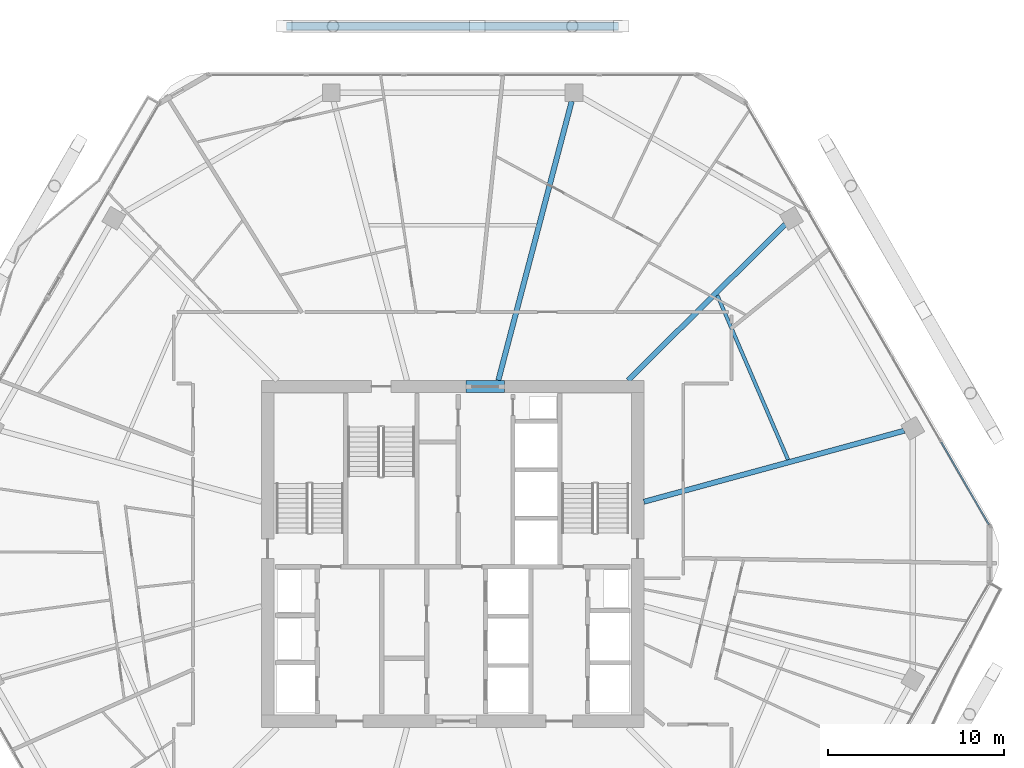
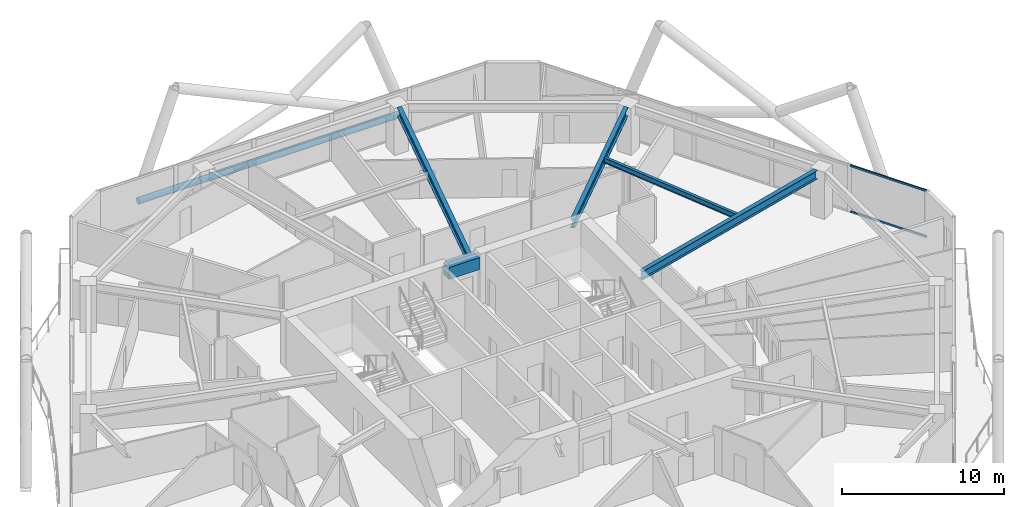
# One storey, part 16 of 30: 5 beams, 3 members, 1 element without a shape of its own.
"""IFC4 building model written with IfcOpenShell, lengths in metres."""

from ifc_helpers import new_model, si_unit, direction, frame, origin, origin_2d, place, context, subcontext, project, spatial, rectangle, hollow_rectangle, hollow_circle, i_section, extrude, material, material_profile, profile_set, type_object, element, aggregate, save


model = new_model("IFC4")

# Units and contexts
model_context = context("Model", 3, precision=1e-05, world=origin(), true_north=direction((0.0, 1.0)))
body_context = subcontext(model_context, "Body", "Model", "MODEL_VIEW")
ifc_project = project(units=[si_unit("LENGTHUNIT", "METRE"), si_unit("AREAUNIT", "SQUARE_METRE"), si_unit("VOLUMEUNIT", "CUBIC_METRE"), si_unit("PLANEANGLEUNIT", "RADIAN"), si_unit("MASSUNIT", "GRAM", prefix="KILO")], contexts=[model_context])

# Site, building, storey
site_placement = place(None, origin())
site = spatial("IfcSite", under=ifc_project, at=site_placement, CompositionType="ELEMENT")
building_placement = place(site_placement, origin())
building = spatial("IfcBuilding", under=site, at=building_placement, Name="Zuhravey Tower", CompositionType="ELEMENT")
storey_placement = place(building_placement, frame((0.0, 0.0, 177.0)))
storey = spatial("IfcBuildingStorey", under=building, at=storey_placement, Name="L44", CompositionType="ELEMENT", Elevation=177.0)

# Beam
ifc_material_1 = material(Name="Concrete C60/75", Category="concrete")
ifc_material_profile_1 = material_profile(ifc_material_1, rectangle(XDim=0.699951171875, YDim=0.89990234375, at=origin_2d()), Name="RC-700x900")
ifc_profile_set_1 = profile_set([ifc_material_profile_1], Name="Concrete C60/75")
beam_type_1 = type_object("IfcBeamType", Name="Core Coupling Beam RC700x900", PredefinedType="LINTEL", material=ifc_profile_set_1)
beam_1_placement = place(storey_placement, frame((36.751953125, 41.5, 3.10009765625), z_axis=(1.0, 0.0, 0.0), x_axis=(0.0, 1.0, 0.0)))
element("IfcBeam", 1, at=beam_1_placement, inside=storey, type_object=beam_type_1, Name="L44 CB1 BM-L44-CB-N", PredefinedType="LINTEL", context=body_context, shape_type="SweptSolid", body=[
    extrude(rectangle(XDim=0.699951171875, YDim=0.89990234375, at=origin_2d()), origin(), (0.0, 0.0, 1.0), 2.196044921875),
])

# Curtain wall, members
ifc_material_2 = material(Name="Thermally broken anodised aluminium", Category="aluminium")
curtain_wall_type = type_object("IfcCurtainWallType", Name="Zone 1-2 Residential Curtain Wall CW3", PredefinedType="NOTDEFINED", material=ifc_material_2)
curtain_wall_placement = place(storey_placement, origin())
curtain_wall = element("IfcCurtainWall", 2, at=curtain_wall_placement, inside=storey, type_object=curtain_wall_type, Name="L44 CW3 CW-L44-F1-1", PredefinedType="NOTDEFINED")
ifc_material_3 = material(Name="Anodised aluminium", Category="aluminium")
ifc_material_profile_2 = material_profile(ifc_material_3, hollow_rectangle(XDim=0.090087890625, YDim=0.14990234375, WallThickness=0.0048828125, at=origin_2d()), Name="ALU-RHS-90x150x5")
ifc_profile_set_2 = profile_set([ifc_material_profile_2], Name="Anodised aluminium")
member_type_1 = type_object("IfcMemberType", Name="Curtain-Wall Transom 90x150", PredefinedType="USERDEFINED", material=ifc_profile_set_2)
member_1_placement = place(storey_placement, frame((63.72216796875, 38.35009765625, 0.044921875), z_axis=(0.499993332629, -0.866029253159, 0.0), x_axis=(0.866029253159, 0.499993332629, 0.0)))
member_1 = element("IfcMember", 3, at=member_1_placement, type_object=member_type_1, Name="CW3 transom 5.1", ObjectType="TRANSOM", PredefinedType="USERDEFINED", context=body_context, shape_type="SweptSolid", body=[
    extrude(hollow_rectangle(XDim=0.090087890625, YDim=0.14990234375, WallThickness=0.0048828125, at=origin_2d()), origin(), (0.0, 0.0, 1.0), 5.4091796875),
])
member_2_placement = place(storey_placement, frame((63.72216796875, 38.35009765625, 3.5048828125), z_axis=(0.499993332629, -0.866029253159, 0.0), x_axis=(0.866029253159, 0.499993332629, 0.0)))
member_2 = element("IfcMember", 4, at=member_2_placement, type_object=member_type_1, Name="CW3 transom 5.2", ObjectType="TRANSOM", PredefinedType="USERDEFINED", context=body_context, shape_type="SweptSolid", body=[
    extrude(hollow_rectangle(XDim=0.090087890625, YDim=0.14990234375, WallThickness=0.0048828125, at=origin_2d()), origin(), (0.0, 0.0, 1.0), 5.4091796875),
])
aggregate(curtain_wall, [member_1, member_2])

# Member
ifc_material_4 = material(Name="Steel SM355", Category="steel")
ifc_material_profile_3 = material_profile(ifc_material_4, hollow_circle(Radius=0.228515625, WallThickness=0.02197265625, at=origin_2d()), Name="CHS-457.2x22")
ifc_profile_set_3 = profile_set([ifc_material_profile_3], Name="Steel SM355")
member_type_2 = type_object("IfcMemberType", Name="Exoskeleton Ring Tie CHS457x22", PredefinedType="CHORD", material=ifc_profile_set_3)
member_3_placement = place(storey_placement, frame((45.4150390625, 61.943115234375, -0.464111328125), z_axis=(-1.0, 0.0, 0.0), x_axis=(0.0, -1.0, 0.0)))
element("IfcMember", 5, at=member_3_placement, inside=storey, type_object=member_type_2, Name="L44 Exoskeleton Face 2 Tie EXR1", PredefinedType="CHORD", context=body_context, shape_type="SweptSolid", body=[
    extrude(hollow_circle(Radius=0.228515625, WallThickness=0.02197265625, at=origin_2d()), origin(), (0.0, 0.0, 1.0), 18.830078125),
])

# Beams
ifc_material_profile_4 = material_profile(ifc_material_4, i_section(OverallWidth=0.300048828125, OverallDepth=0.64990234375, WebThickness=0.012939453125, FlangeThickness=0.02197265625, at=origin_2d()), Name="H-650x300x13x22")
ifc_profile_set_4 = profile_set([ifc_material_profile_4], Name="Steel SM355")
beam_type_2 = type_object("IfcBeamType", Name="Radial Primary Girder H650x300", PredefinedType="BEAM", material=ifc_profile_set_4)
beam_2_placement = place(storey_placement, frame((46.85302734375, 34.96240234375, 3.22509765625), z_axis=(0.964701601771, 0.263345437667, 0.0), x_axis=(-0.263345437667, 0.964701601771, 0.0)))
element("IfcBeam", 6, at=beam_2_placement, inside=storey, type_object=beam_type_2, Name="L44 RG2 BM-L44-RAD-01", PredefinedType="BEAM", context=body_context, shape_type="SweptSolid", body=[
    extrude(i_section(OverallWidth=0.300048828125, OverallDepth=0.64990234375, WebThickness=0.012939453125, FlangeThickness=0.02197265625, at=origin_2d()), origin(), (0.0, 0.0, 1.0), 15.309814453125),
])
beam_3_placement = place(storey_placement, frame((45.945556640625, 41.85302734375, 3.22509765625), z_axis=(0.71040353357, 0.703794586148, 0.0), x_axis=(-0.703794586148, 0.71040353357, 0.0)))
element("IfcBeam", 7, at=beam_3_placement, inside=storey, type_object=beam_type_2, Name="L44 RG2 BM-L44-RAD-02", PredefinedType="BEAM", context=body_context, shape_type="SweptSolid", body=[
    extrude(i_section(OverallWidth=0.300048828125, OverallDepth=0.64990234375, WebThickness=0.012939453125, FlangeThickness=0.02197265625, at=origin_2d()), origin(), (0.0, 0.0, 1.0), 12.559814453125),
])
beam_4_placement = place(storey_placement, frame((38.5908203125, 41.85302734375, 3.22509765625), z_axis=(0.254300244998, 0.967125320418, 0.0), x_axis=(-0.967125320418, 0.254300244998, 0.0)))
element("IfcBeam", 8, at=beam_4_placement, inside=storey, type_object=beam_type_2, Name="L44 RG2 BM-L44-RAD-03", PredefinedType="BEAM", context=body_context, shape_type="SweptSolid", body=[
    extrude(i_section(OverallWidth=0.300048828125, OverallDepth=0.64990234375, WebThickness=0.012939453125, FlangeThickness=0.02197265625, at=origin_2d()), origin(), (0.0, 0.0, 1.0), 16.371826171875),
])
ifc_material_profile_5 = material_profile(ifc_material_4, i_section(OverallWidth=0.199951171875, OverallDepth=0.39990234375, WebThickness=0.008056640625, FlangeThickness=0.012939453125, at=origin_2d()), Name="H-400x200x8x13")
ifc_profile_set_5 = profile_set([ifc_material_profile_5], Name="Steel SM355")
beam_type_3 = type_object("IfcBeamType", Name="Secondary Floor Joist H400x200", PredefinedType="JOIST", material=ifc_profile_set_5)
beam_5_placement = place(storey_placement, frame((55.029541015625, 37.3525390625, 3.35009765625), z_axis=(-0.395265853487, 0.918566766799, 0.0), x_axis=(-0.918566766799, -0.395265853487, 0.0)))
element("IfcBeam", 9, at=beam_5_placement, inside=storey, type_object=beam_type_3, Name="L44 SJ2 BM-L44-SJ-01-1", PredefinedType="JOIST", context=body_context, shape_type="SweptSolid", body=[
    extrude(i_section(OverallWidth=0.199951171875, OverallDepth=0.39990234375, WebThickness=0.008056640625, FlangeThickness=0.012939453125, at=origin_2d()), origin(), (0.0, 0.0, 1.0), 10.150146484375),
])

save(model, "model.ifc")
